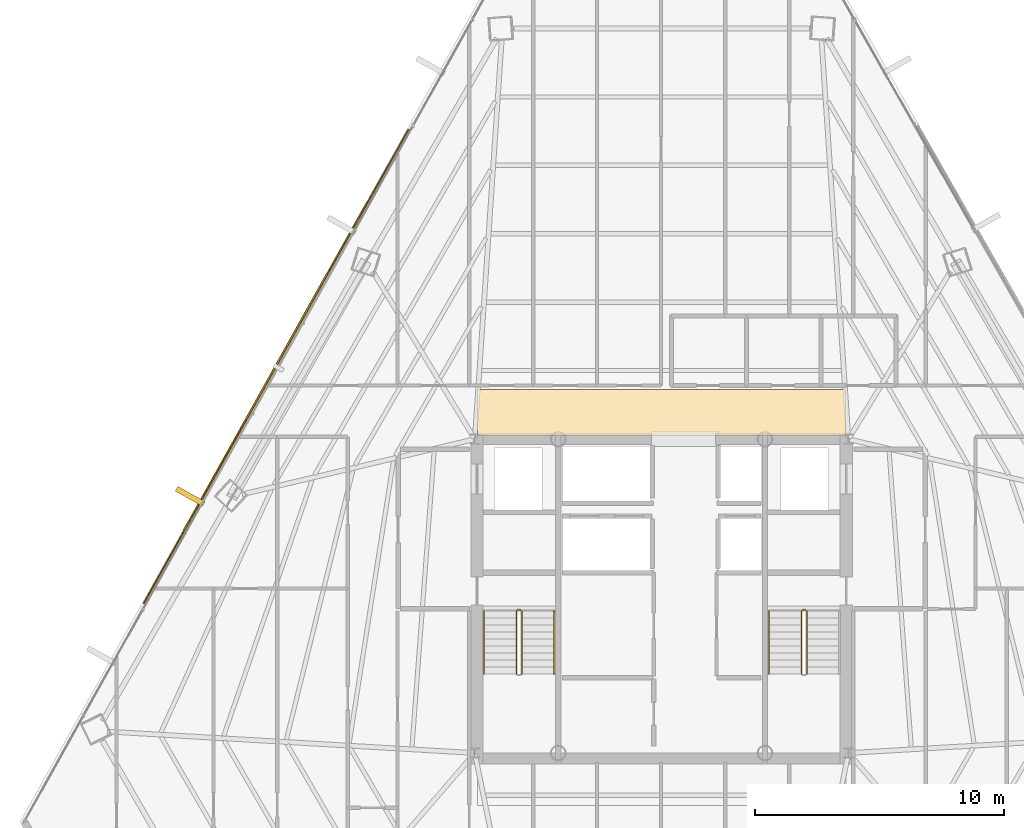
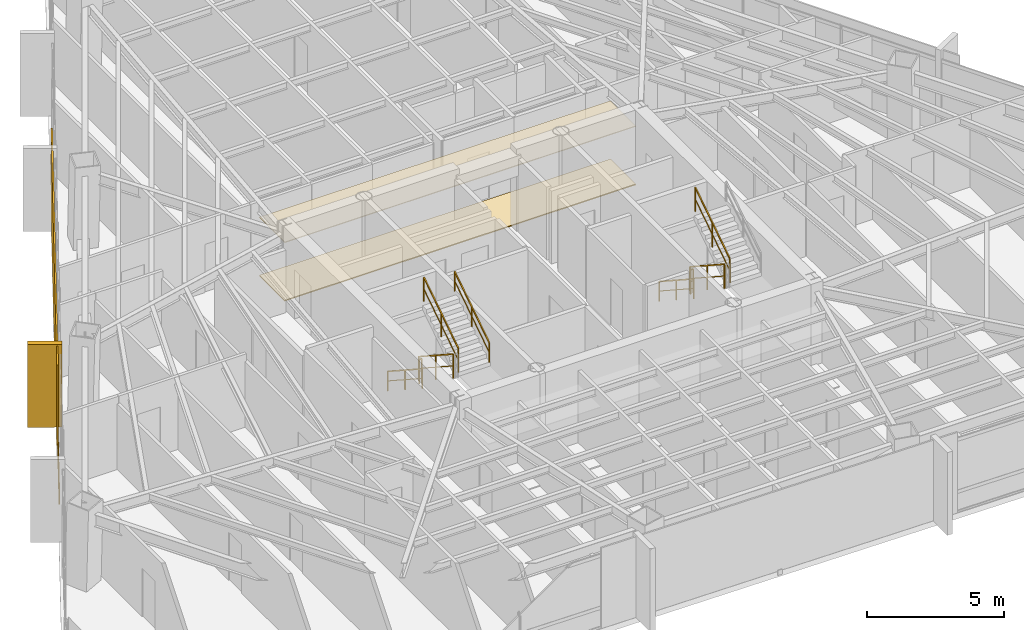
# One storey, part 39 of 40: 9 railings, 4 coverings, 1 shading device.
"""IFC4 building model written with IfcOpenShell, lengths in metres."""

from ifc_helpers import new_model, si_unit, direction, frame, origin, origin_2d, place, context, subcontext, project, spatial, polyline, rectangle, outline, extrude, source, transform, mapped, material, layer, layer_set, type_object, type_shapes, element, save


model = new_model("IFC4")

# Units and contexts
model_context = context("Model", 3, precision=1e-05, world=origin(), true_north=direction((0.0, 1.0)))
body_context = subcontext(model_context, "Body", "Model", "MODEL_VIEW")
ifc_project = project(units=[si_unit("LENGTHUNIT", "METRE"), si_unit("AREAUNIT", "SQUARE_METRE"), si_unit("VOLUMEUNIT", "CUBIC_METRE"), si_unit("PLANEANGLEUNIT", "RADIAN"), si_unit("MASSUNIT", "GRAM", prefix="KILO")], contexts=[model_context])

# Site, building, storey
site_placement = place(None, origin())
site = spatial("IfcSite", under=ifc_project, at=site_placement, CompositionType="ELEMENT")
building_placement = place(site_placement, origin())
building = spatial("IfcBuilding", under=site, at=building_placement, Name="Caelisora Broadcast Tower", CompositionType="ELEMENT")
storey_placement = place(building_placement, frame((0.0, 0.0, 146.39990234375)))
storey = spatial("IfcBuildingStorey", under=building, at=storey_placement, Name="L38", CompositionType="ELEMENT", Elevation=146.39990234375)

# Coverings
ifc_material_1 = material(Name="Perforated Mineral-Fibre Acoustic Ceiling Tile", Category="gypsum")
ifc_layer_1 = layer(ifc_material_1, 0.034912109375, Name="Perforated Mineral-Fibre Acoustic Ceiling Tile")
ifc_layer_set_1 = layer_set([ifc_layer_1], Name="Perforated Mineral-Fibre Acoustic Ceiling Tile")
covering_type_1 = type_object("IfcCoveringType", Name="CE-1", PredefinedType="CEILING", material=ifc_layer_set_1)
covering_1_placement = place(storey_placement, frame((0.0, 0.0, 2.60009765625)))
element("IfcCovering", 1, at=covering_1_placement, inside=storey, type_object=covering_type_1, Name="L38 acoustic corridor ceiling CE-1 (N)", PredefinedType="CEILING", context=body_context, shape_type="SweptSolid", body=[
    extrude(outline(polyline([(30.60009765625, 30.14990234375), (45.39990234375, 30.14990234375), (45.39990234375, 32.0), (30.60009765625, 32.0), (30.60009765625, 30.14990234375)])), origin(), (0.0, 0.0, 1.0), 0.034912109375),
])
ifc_material_2 = material(Name="Anti-Static Broadcast Raised Access Floor Panel", Category="steel")
ifc_layer_2 = layer(ifc_material_2, 0.044921875, Name="Anti-Static Broadcast Raised Access Floor Panel")
ifc_layer_set_2 = layer_set([ifc_layer_2], Name="Anti-Static Broadcast Raised Access Floor Panel")
covering_type_2 = type_object("IfcCoveringType", Name="FL-1", PredefinedType="FLOORING", material=ifc_layer_set_2)
covering_2_placement = place(storey_placement, origin())
element("IfcCovering", 2, at=covering_2_placement, inside=storey, type_object=covering_type_2, Name="L38 broadcast raised access floor FL-1 (N)", PredefinedType="FLOORING", context=body_context, shape_type="SweptSolid", body=[
    extrude(outline(polyline([(30.60009765625, 30.14990234375), (45.39990234375, 30.14990234375), (45.39990234375, 32.0), (30.60009765625, 32.0), (30.60009765625, 30.14990234375)])), origin(), (0.0, 0.0, 1.0), 0.045166015625),
])

# Railings
ifc_material_3 = material(Name="Galvanised Steel Safety Guardrail", Category="steel")
ifc_layer_3 = layer(ifc_material_3, 0.048095703125, Name="Galvanised Steel Safety Guardrail")
ifc_layer_set_3 = layer_set([ifc_layer_3], Name="Galvanised Steel Safety Guardrail")
railing_type_1 = type_object("IfcRailingType", Name="GR-1", PredefinedType="GUARDRAIL", material=ifc_layer_set_3)
railing_1_placement = place(storey_placement, frame((32.169921875, 23.10009765625, 0.1826171875)))
element("IfcRailing", 3, at=railing_1_placement, inside=storey, type_object=railing_type_1, Name="L38 ST-1 stair guard 1", PredefinedType="GUARDRAIL", context=body_context, shape_type="SweptSolid", body=[
    extrude(rectangle(XDim=0.048095703125, YDim=0.048095703125, at=origin_2d()), frame((0.0, 0.0, 1.076171875), z_axis=(0.0, -0.837749427056, 0.546054848405), x_axis=(1.0, 0.0, 0.0)), (0.0, 0.0, 1.0), 3.008056640625),
    extrude(rectangle(XDim=0.03125, YDim=0.03125, at=origin_2d()), frame((0.0, 0.0, 0.550048828125), z_axis=(0.0, -0.837749427056, 0.546054848405), x_axis=(1.0, 0.0, 0.0)), (0.0, 0.0, 1.0), 3.008056640625),
    extrude(rectangle(XDim=0.0419921875, YDim=0.0419921875, at=origin_2d()), origin(), (0.0, 0.0, 1.0), 1.052001953125),
    extrude(rectangle(XDim=0.0419921875, YDim=0.0419921875, at=origin_2d()), frame((0.0, -1.260009765625, 0.8212890625)), (0.0, 0.0, 1.0), 1.052001953125),
    extrude(rectangle(XDim=0.0419921875, YDim=0.0419921875, at=origin_2d()), frame((0.0, -2.52001953125, 1.642578125)), (0.0, 0.0, 1.0), 1.052001953125),
])
railing_2_placement = place(storey_placement, frame((32.389892578125, 20.580078125, 2.007568359375)))
element("IfcRailing", 4, at=railing_2_placement, inside=storey, type_object=railing_type_1, Name="L38 ST-1 stair guard 3", PredefinedType="GUARDRAIL", context=body_context, shape_type="SweptSolid", body=[
    extrude(rectangle(XDim=0.048095703125, YDim=0.048095703125, at=origin_2d()), frame((0.0, 0.0, 1.076171875), z_axis=(0.0, 0.837749427056, 0.546054848405), x_axis=(-1.0, 0.0, 0.0)), (0.0, 0.0, 1.0), 3.008056640625),
    extrude(rectangle(XDim=0.03125, YDim=0.03125, at=origin_2d()), frame((0.0, 0.0, 0.550048828125), z_axis=(0.0, 0.837749427056, 0.546054848405), x_axis=(-1.0, 0.0, 0.0)), (0.0, 0.0, 1.0), 3.008056640625),
    extrude(rectangle(XDim=0.0419921875, YDim=0.0419921875, at=origin_2d()), origin(), (0.0, 0.0, 1.0), 1.052001953125),
    extrude(rectangle(XDim=0.0419921875, YDim=0.0419921875, at=origin_2d()), frame((0.0, 1.260009765625, 0.8212890625)), (0.0, 0.0, 1.0), 1.052001953125),
    extrude(rectangle(XDim=0.0419921875, YDim=0.0419921875, at=origin_2d()), frame((0.0, 2.52001953125, 1.642578125)), (0.0, 0.0, 1.0), 1.052001953125),
])
railing_3_placement = place(storey_placement, frame((32.219970703125, 23.14990234375, 0.0)))
element("IfcRailing", 5, at=railing_3_placement, inside=storey, type_object=railing_type_1, Name="L38 ST-1 stair guard 4", PredefinedType="GUARDRAIL", context=body_context, shape_type="SweptSolid", body=[
    extrude(rectangle(XDim=0.048095703125, YDim=0.048095703125, at=origin_2d()), frame((0.0, 0.0, 1.076171875), z_axis=(1.0, 0.0, 0.0), x_axis=(0.0, 1.0, 0.0)), (0.0, 0.0, 1.0), 0.1201171875),
    extrude(rectangle(XDim=0.03125, YDim=0.03125, at=origin_2d()), frame((0.0, 0.0, 0.550048828125), z_axis=(1.0, 0.0, 0.0), x_axis=(0.0, 1.0, 0.0)), (0.0, 0.0, 1.0), 0.1201171875),
    extrude(rectangle(XDim=0.0419921875, YDim=0.0419921875, at=origin_2d()), origin(), (0.0, 0.0, 1.0), 1.052001953125),
    extrude(rectangle(XDim=0.0419921875, YDim=0.0419921875, at=origin_2d()), frame((0.1201171875, 0.0, 0.0)), (0.0, 0.0, 1.0), 1.052001953125),
])
railing_4_placement = place(storey_placement, frame((43.610107421875, 23.10009765625, 0.1826171875)))
element("IfcRailing", 6, at=railing_4_placement, inside=storey, type_object=railing_type_1, Name="L38 ST-2 stair guard 1", PredefinedType="GUARDRAIL", context=body_context, shape_type="SweptSolid", body=[
    extrude(rectangle(XDim=0.048095703125, YDim=0.048095703125, at=origin_2d()), frame((0.0, 0.0, 1.076171875), z_axis=(0.0, -0.837749427056, 0.546054848405), x_axis=(1.0, 0.0, 0.0)), (0.0, 0.0, 1.0), 3.008056640625),
    extrude(rectangle(XDim=0.03125, YDim=0.03125, at=origin_2d()), frame((0.0, 0.0, 0.550048828125), z_axis=(0.0, -0.837749427056, 0.546054848405), x_axis=(1.0, 0.0, 0.0)), (0.0, 0.0, 1.0), 3.008056640625),
    extrude(rectangle(XDim=0.0419921875, YDim=0.0419921875, at=origin_2d()), origin(), (0.0, 0.0, 1.0), 1.052001953125),
    extrude(rectangle(XDim=0.0419921875, YDim=0.0419921875, at=origin_2d()), frame((0.0, -1.260009765625, 0.8212890625)), (0.0, 0.0, 1.0), 1.052001953125),
    extrude(rectangle(XDim=0.0419921875, YDim=0.0419921875, at=origin_2d()), frame((0.0, -2.52001953125, 1.642578125)), (0.0, 0.0, 1.0), 1.052001953125),
])
railing_5_placement = place(storey_placement, frame((43.830078125, 20.580078125, 2.007568359375)))
element("IfcRailing", 7, at=railing_5_placement, inside=storey, type_object=railing_type_1, Name="L38 ST-2 stair guard 3", PredefinedType="GUARDRAIL", context=body_context, shape_type="SweptSolid", body=[
    extrude(rectangle(XDim=0.048095703125, YDim=0.048095703125, at=origin_2d()), frame((0.0, 0.0, 1.076171875), z_axis=(0.0, 0.837749427056, 0.546054848405), x_axis=(-1.0, 0.0, 0.0)), (0.0, 0.0, 1.0), 3.008056640625),
    extrude(rectangle(XDim=0.03125, YDim=0.03125, at=origin_2d()), frame((0.0, 0.0, 0.550048828125), z_axis=(0.0, 0.837749427056, 0.546054848405), x_axis=(-1.0, 0.0, 0.0)), (0.0, 0.0, 1.0), 3.008056640625),
    extrude(rectangle(XDim=0.0419921875, YDim=0.0419921875, at=origin_2d()), origin(), (0.0, 0.0, 1.0), 1.052001953125),
    extrude(rectangle(XDim=0.0419921875, YDim=0.0419921875, at=origin_2d()), frame((0.0, 1.260009765625, 0.8212890625)), (0.0, 0.0, 1.0), 1.052001953125),
    extrude(rectangle(XDim=0.0419921875, YDim=0.0419921875, at=origin_2d()), frame((0.0, 2.52001953125, 1.642578125)), (0.0, 0.0, 1.0), 1.052001953125),
])
railing_6_placement = place(storey_placement, frame((43.659912109375, 23.14990234375, 0.0)))
element("IfcRailing", 8, at=railing_6_placement, inside=storey, type_object=railing_type_1, Name="L38 ST-2 stair guard 4", PredefinedType="GUARDRAIL", context=body_context, shape_type="SweptSolid", body=[
    extrude(rectangle(XDim=0.048095703125, YDim=0.048095703125, at=origin_2d()), frame((0.0, 0.0, 1.076171875), z_axis=(1.0, 0.0, 0.0), x_axis=(0.0, 1.0, 0.0)), (0.0, 0.0, 1.0), 0.1201171875),
    extrude(rectangle(XDim=0.03125, YDim=0.03125, at=origin_2d()), frame((0.0, 0.0, 0.550048828125), z_axis=(1.0, 0.0, 0.0), x_axis=(0.0, 1.0, 0.0)), (0.0, 0.0, 1.0), 0.1201171875),
    extrude(rectangle(XDim=0.0419921875, YDim=0.0419921875, at=origin_2d()), origin(), (0.0, 0.0, 1.0), 1.052001953125),
    extrude(rectangle(XDim=0.0419921875, YDim=0.0419921875, at=origin_2d()), frame((0.1201171875, 0.0, 0.0)), (0.0, 0.0, 1.0), 1.052001953125),
])
ifc_material_4 = material(Name="Stainless Steel Grade 316 Tubular Handrail", Category="steel")
ifc_layer_4 = layer(ifc_material_4, 0.048095703125, Name="Stainless Steel Grade 316 Tubular Handrail")
ifc_layer_set_4 = layer_set([ifc_layer_4], Name="Stainless Steel Grade 316 Tubular Handrail")
railing_type_2 = type_object("IfcRailingType", Name="HR-1", PredefinedType="HANDRAIL", material=ifc_layer_set_4)
railing_7_placement = place(storey_placement, frame((30.8701171875, 23.10009765625, 0.1826171875)))
element("IfcRailing", 9, at=railing_7_placement, inside=storey, type_object=railing_type_2, Name="L38 ST-1 stair handrail 1", PredefinedType="HANDRAIL", context=body_context, shape_type="SweptSolid", body=[
    extrude(rectangle(XDim=0.048095703125, YDim=0.048095703125, at=origin_2d()), frame((0.0, 0.0, 0.8759765625), z_axis=(0.0, -0.837749427056, 0.546054848405), x_axis=(1.0, 0.0, 0.0)), (0.0, 0.0, 1.0), 3.008056640625),
    extrude(rectangle(XDim=0.03125, YDim=0.03125, at=origin_2d()), frame((0.0, 0.0, 0.449951171875), z_axis=(0.0, -0.837749427056, 0.546054848405), x_axis=(1.0, 0.0, 0.0)), (0.0, 0.0, 1.0), 3.008056640625),
    extrude(rectangle(XDim=0.0419921875, YDim=0.0419921875, at=origin_2d()), origin(), (0.0, 0.0, 1.0), 0.851806640625),
    extrude(rectangle(XDim=0.0419921875, YDim=0.0419921875, at=origin_2d()), frame((0.0, -1.260009765625, 0.8212890625)), (0.0, 0.0, 1.0), 0.851806640625),
    extrude(rectangle(XDim=0.0419921875, YDim=0.0419921875, at=origin_2d()), frame((0.0, -2.52001953125, 1.642578125)), (0.0, 0.0, 1.0), 0.851806640625),
])
railing_8_placement = place(storey_placement, frame((33.68994140625, 20.580078125, 2.007568359375)))
element("IfcRailing", 10, at=railing_8_placement, inside=storey, type_object=railing_type_2, Name="L38 ST-1 stair handrail 2", PredefinedType="HANDRAIL", context=body_context, shape_type="SweptSolid", body=[
    extrude(rectangle(XDim=0.048095703125, YDim=0.048095703125, at=origin_2d()), frame((0.0, 0.0, 0.8759765625), z_axis=(0.0, 0.837749427056, 0.546054848405), x_axis=(-1.0, 0.0, 0.0)), (0.0, 0.0, 1.0), 3.008056640625),
    extrude(rectangle(XDim=0.03125, YDim=0.03125, at=origin_2d()), frame((0.0, 0.0, 0.449951171875), z_axis=(0.0, 0.837749427056, 0.546054848405), x_axis=(-1.0, 0.0, 0.0)), (0.0, 0.0, 1.0), 3.008056640625),
    extrude(rectangle(XDim=0.0419921875, YDim=0.0419921875, at=origin_2d()), origin(), (0.0, 0.0, 1.0), 0.851806640625),
    extrude(rectangle(XDim=0.0419921875, YDim=0.0419921875, at=origin_2d()), frame((0.0, 1.260009765625, 0.8212890625)), (0.0, 0.0, 1.0), 0.851806640625),
    extrude(rectangle(XDim=0.0419921875, YDim=0.0419921875, at=origin_2d()), frame((0.0, 2.52001953125, 1.642578125)), (0.0, 0.0, 1.0), 0.851806640625),
])
railing_9_placement = place(storey_placement, frame((42.31005859375, 23.10009765625, 0.1826171875)))
element("IfcRailing", 11, at=railing_9_placement, inside=storey, type_object=railing_type_2, Name="L38 ST-2 stair handrail 1", PredefinedType="HANDRAIL", context=body_context, shape_type="SweptSolid", body=[
    extrude(rectangle(XDim=0.048095703125, YDim=0.048095703125, at=origin_2d()), frame((0.0, 0.0, 0.8759765625), z_axis=(0.0, -0.837749427056, 0.546054848405), x_axis=(1.0, 0.0, 0.0)), (0.0, 0.0, 1.0), 3.008056640625),
    extrude(rectangle(XDim=0.03125, YDim=0.03125, at=origin_2d()), frame((0.0, 0.0, 0.449951171875), z_axis=(0.0, -0.837749427056, 0.546054848405), x_axis=(1.0, 0.0, 0.0)), (0.0, 0.0, 1.0), 3.008056640625),
    extrude(rectangle(XDim=0.0419921875, YDim=0.0419921875, at=origin_2d()), origin(), (0.0, 0.0, 1.0), 0.851806640625),
    extrude(rectangle(XDim=0.0419921875, YDim=0.0419921875, at=origin_2d()), frame((0.0, -1.260009765625, 0.8212890625)), (0.0, 0.0, 1.0), 0.851806640625),
    extrude(rectangle(XDim=0.0419921875, YDim=0.0419921875, at=origin_2d()), frame((0.0, -2.52001953125, 1.642578125)), (0.0, 0.0, 1.0), 0.851806640625),
])

# Covering
ifc_material_5 = material(Name="Kiln-Fired Terracotta Spandrel Rainscreen Cladding", Category="ceramic")
ifc_layer_5 = layer(ifc_material_5, 0.044921875, Name="Kiln-Fired Terracotta Spandrel Rainscreen Cladding")
ifc_layer_set_5 = layer_set([ifc_layer_5], Name="Kiln-Fired Terracotta Spandrel Rainscreen Cladding")
covering_type_3 = type_object("IfcCoveringType", Name="CL-1", PredefinedType="CLADDING", material=ifc_layer_set_5)
shared_shape_1 = source(origin(), body_context, "Body", "SweptSolid", [
    extrude(rectangle(XDim=0.219970703125, YDim=1.25, at=origin_2d()), origin(), (0.0, 0.0, 1.0), 3.68994140625),
])
covering_3_placement = place(storey_placement, frame((19.072998046875, 27.704345703125, -0.019775390625), z_axis=(0.0, 0.0, 1.0), x_axis=(0.487707298065, 0.873007211547, 0.0)))
element("IfcCovering", 12, at=covering_3_placement, inside=storey, type_object=covering_type_3, Name="L38 vertical solar fin cladding #3-2", PredefinedType="CLADDING", context=body_context, shape_type="MappedRepresentation", body=[
    mapped(shared_shape_1, transform((0.0, 0.0, 0.0), scale=1.0)),
])

# Shading device
ifc_material_6 = material(Name="Perforated Glazed Terracotta Baguette Solar Screen", Category="ceramic")
ifc_layer_6 = layer(ifc_material_6, 0.06494140625, Name="Perforated Glazed Terracotta Baguette Solar Screen")
ifc_layer_set_6 = layer_set([ifc_layer_6], Name="Perforated Glazed Terracotta Baguette Solar Screen")
shading_device_type = type_object("IfcShadingDeviceType", Name="SS-1", PredefinedType="USERDEFINED", material=ifc_layer_set_6)
shared_shape_2 = source(origin(), body_context, "Body", "SweptSolid", [
    extrude(rectangle(XDim=15.096923828125, YDim=0.06494140625, at=origin_2d()), origin(), (0.0, 0.0, 1.0), 3.590087890625),
])
type_shapes(shading_device_type, [shared_shape_2])
shading_device_placement = place(storey_placement, frame((22.50634765625, 32.927001953125, 0.0), z_axis=(0.0, 0.0, 1.0), x_axis=(-0.487707298065, -0.873007211547, 0.0)))
element("IfcShadingDevice", 13, at=shading_device_placement, inside=storey, type_object=shading_device_type, Name="L38 perforated terracotta solar screen #1", ObjectType="SOLAR SCREEN", PredefinedType="USERDEFINED", context=body_context, shape_type="MappedRepresentation", body=[
    mapped(shared_shape_2, transform((0.0, 0.0, 0.0), scale=1.0)),
])

# Covering
shared_shape_3 = source(origin(), body_context, "Body", "SweptSolid", [
    extrude(rectangle(XDim=21.805908203125, YDim=0.044921875, at=origin_2d()), origin(), (0.0, 0.0, 1.0), 0.340087890625),
])
type_shapes(covering_type_3, [shared_shape_1, shared_shape_3])
covering_4_placement = place(storey_placement, frame((22.52392578125, 32.917236328125, -0.27001953125), z_axis=(0.0, 0.0, 1.0), x_axis=(-0.487707298065, -0.873007211547, 0.0)))
element("IfcCovering", 14, at=covering_4_placement, inside=storey, type_object=covering_type_3, Name="L38 terracotta spandrel rainscreen #1", PredefinedType="CLADDING", context=body_context, shape_type="MappedRepresentation", body=[
    mapped(shared_shape_3, transform((0.0, 0.0, 0.0), scale=1.0)),
])

save(model, "model.ifc")
